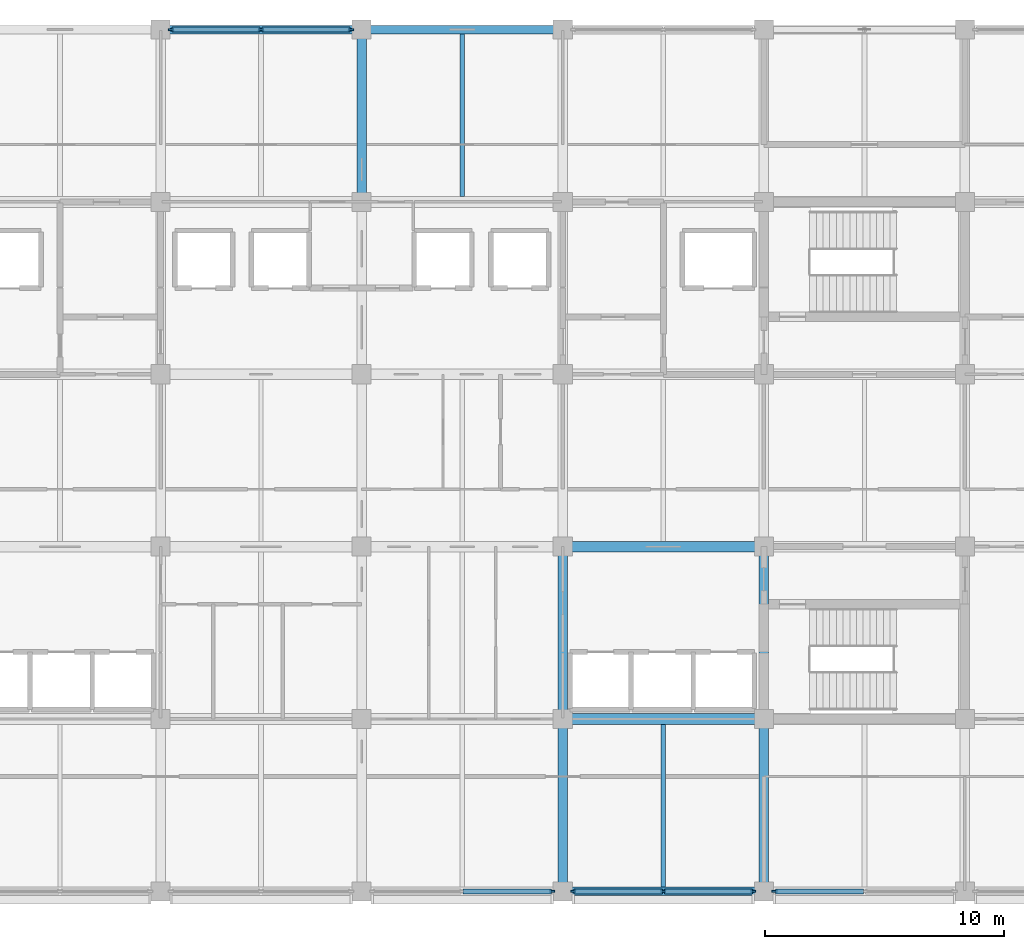
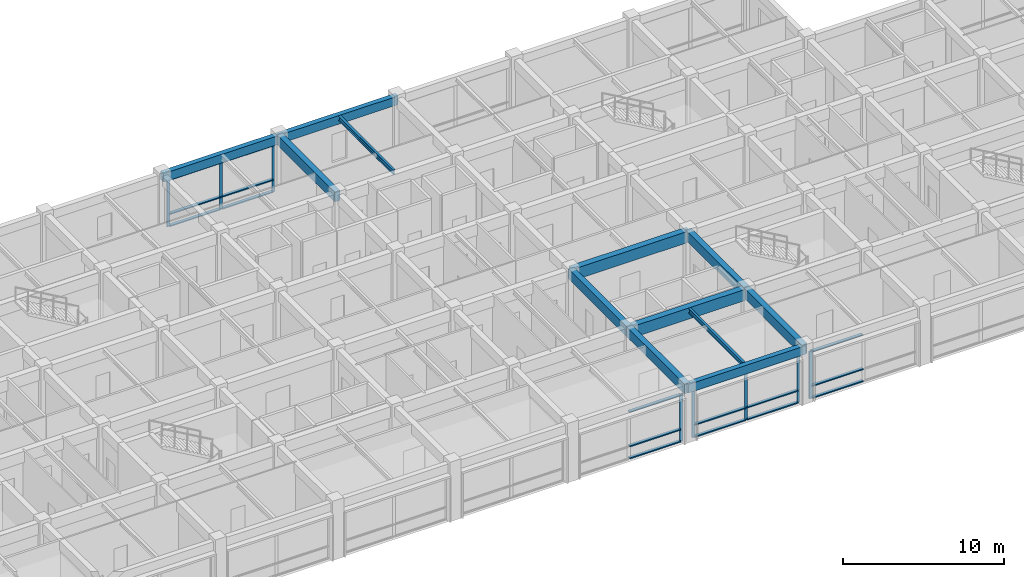
# One storey, part 6 of 30: 26 members, 12 beams, 4 elements without a shape of their own.
"""IFC4 building model written with IfcOpenShell, lengths in metres."""

from ifc_helpers import new_model, si_unit, direction, frame, origin, origin_2d, place, context, subcontext, project, spatial, rectangle, i_section, extrude, material, layer, layer_set, material_profile, profile_set, type_object, element, aggregate, save


model = new_model("IFC4")

# Units and contexts
model_context = context("Model", 3, precision=1e-05, world=origin(), true_north=direction((0.0, 1.0)))
body_context = subcontext(model_context, "Body", "Model", "MODEL_VIEW")
ifc_project = project(units=[si_unit("LENGTHUNIT", "METRE"), si_unit("AREAUNIT", "SQUARE_METRE"), si_unit("VOLUMEUNIT", "CUBIC_METRE"), si_unit("PLANEANGLEUNIT", "RADIAN"), si_unit("MASSUNIT", "GRAM", prefix="KILO")], contexts=[model_context])

# Site, building, storey
site_placement = place(None, origin())
site = spatial("IfcSite", under=ifc_project, at=site_placement, CompositionType="ELEMENT")
building_placement = place(site_placement, origin())
building = spatial("IfcBuilding", under=site, at=building_placement, Name="Chengyuan Square Courthouse", CompositionType="ELEMENT")
storey_placement = place(building_placement, frame((0.0, 0.0, 26.10009765625)))
storey = spatial("IfcBuildingStorey", under=building, at=storey_placement, Name="L06", CompositionType="ELEMENT", Elevation=26.10009765625)

# Beams
ifc_material_1 = material(Name="Concrete C40", Category="concrete")
ifc_material_profile_1 = material_profile(ifc_material_1, rectangle(XDim=0.449951171875, YDim=0.85009765625, at=origin_2d()), Name="RC-BM-450x850")
ifc_profile_set_1 = profile_set([ifc_material_profile_1], Name="Concrete C40")
beam_type_1 = type_object("IfcBeamType", Name="BM-01", PredefinedType="USERDEFINED", material=ifc_profile_set_1)
for number, where, z_axis, x_axis, name in (
    (1, (92.39990234375, 86.39990234375, 3.81494140625), (1.0, 0.0, 0.0), (0.0, 1.0, 0.0), "Girder BM-L06-3407"),
    (2, (92.39990234375, 93.60009765625, 3.81494140625), (1.0, 0.0, 0.0), (0.0, 1.0, 0.0), "Girder BM-L06-3419"),
):
    element("IfcBeam", number, at=place(storey_placement, frame(where, z_axis=z_axis, x_axis=x_axis)), inside=storey, type_object=beam_type_1, Name=name, ObjectType="GIRDER", PredefinedType="USERDEFINED", context=body_context, shape_type="SweptSolid", body=[
        extrude(rectangle(XDim=0.449951171875, YDim=0.85009765625, at=origin_2d()), origin(), (0.0, 0.0, 1.0), 8.400146484375),
    ])
ifc_material_profile_2 = material_profile(ifc_material_1, rectangle(XDim=0.39990234375, YDim=0.75, at=origin_2d()), Name="RC-BM-400x750")
ifc_profile_set_2 = profile_set([ifc_material_profile_2], Name="Concrete C40")
beam_type_2 = type_object("IfcBeamType", Name="BM-02", PredefinedType="USERDEFINED", material=ifc_profile_set_2)
for number, where, z_axis, x_axis, name in (
    (3, (84.0, 108.0, 3.864990234375), (0.0, 1.0, 0.0), (-1.0, 0.0, 0.0), "Girder BM-L06-3493"),
    (4, (92.39990234375, 79.199951171875, 3.864990234375), (0.0, 1.0, 0.0), (-1.0, 0.0, 0.0), "Girder BM-L06-3494"),
):
    element("IfcBeam", number, at=place(storey_placement, frame(where, z_axis=z_axis, x_axis=x_axis)), inside=storey, type_object=beam_type_2, Name=name, ObjectType="GIRDER", PredefinedType="USERDEFINED", context=body_context, shape_type="SweptSolid", body=[
        extrude(rectangle(XDim=0.39990234375, YDim=0.75, at=origin_2d()), origin(), (0.0, 0.0, 1.0), 7.199951171875),
    ])
beam_1_placement = place(storey_placement, frame((92.39990234375, 86.39990234375, 3.864990234375), z_axis=(0.0, 1.0, 0.0), x_axis=(-1.0, 0.0, 0.0)))
element("IfcBeam", 5, at=beam_1_placement, inside=storey, type_object=beam_type_2, Name="Girder BM-L06-3495", ObjectType="GIRDER", PredefinedType="USERDEFINED", context=body_context, shape_type="SweptSolid", body=[
    extrude(rectangle(XDim=0.39990234375, YDim=0.75, at=origin_2d()), origin(), (0.0, 0.0, 1.0), 7.2001953125),
])
beam_2_placement = place(storey_placement, frame((100.800048828125, 79.199951171875, 3.864990234375), z_axis=(0.0, 1.0, 0.0), x_axis=(-1.0, 0.0, 0.0)))
element("IfcBeam", 6, at=beam_2_placement, inside=storey, type_object=beam_type_2, Name="Girder BM-L06-3499", ObjectType="GIRDER", PredefinedType="USERDEFINED", context=body_context, shape_type="SweptSolid", body=[
    extrude(rectangle(XDim=0.39990234375, YDim=0.75, at=origin_2d()), origin(), (0.0, 0.0, 1.0), 7.199951171875),
])
beam_3_placement = place(storey_placement, frame((100.800048828125, 86.39990234375, 3.864990234375), z_axis=(0.0, 1.0, 0.0), x_axis=(-1.0, 0.0, 0.0)))
element("IfcBeam", 7, at=beam_3_placement, inside=storey, type_object=beam_type_2, Name="Girder BM-L06-3500", ObjectType="GIRDER", PredefinedType="USERDEFINED", context=body_context, shape_type="SweptSolid", body=[
    extrude(rectangle(XDim=0.39990234375, YDim=0.75, at=origin_2d()), origin(), (0.0, 0.0, 1.0), 7.2001953125),
])
ifc_material_profile_3 = material_profile(ifc_material_1, rectangle(XDim=0.35009765625, YDim=0.64990234375, at=origin_2d()), Name="RC-BM-350x650")
ifc_profile_set_3 = profile_set([ifc_material_profile_3], Name="Concrete C40")
beam_type_3 = type_object("IfcBeamType", Name="BM-03", PredefinedType="SPANDREL", material=ifc_profile_set_3)
beam_4_placement = place(storey_placement, frame((92.39990234375, 79.199951171875, 3.914794921875), z_axis=(1.0, 0.0, 0.0), x_axis=(0.0, 1.0, 0.0)))
element("IfcBeam", 8, at=beam_4_placement, inside=storey, type_object=beam_type_3, Name="Girder BM-L06-3394", PredefinedType="SPANDREL", context=body_context, shape_type="SweptSolid", body=[
    extrude(rectangle(XDim=0.35009765625, YDim=0.64990234375, at=origin_2d()), origin(), (0.0, 0.0, 1.0), 8.400146484375),
])
for number, where, z_axis, x_axis, name in (
    (9, (75.60009765625, 115.199951171875, 3.914794921875), (1.0, 0.0, 0.0), (0.0, 1.0, 0.0), "Girder BM-L06-3455"),
    (10, (84.0, 115.199951171875, 3.914794921875), (1.0, 0.0, 0.0), (0.0, 1.0, 0.0), "Girder BM-L06-3456"),
):
    element("IfcBeam", number, at=place(storey_placement, frame(where, z_axis=z_axis, x_axis=x_axis)), inside=storey, type_object=beam_type_3, Name=name, PredefinedType="SPANDREL", context=body_context, shape_type="SweptSolid", body=[
        extrude(rectangle(XDim=0.35009765625, YDim=0.64990234375, at=origin_2d()), origin(), (0.0, 0.0, 1.0), 8.39990234375),
    ])
ifc_material_2 = material(Name="Steel Q355B", Category="steel")
ifc_material_profile_4 = material_profile(ifc_material_2, i_section(OverallWidth=0.175048828125, OverallDepth=0.35009765625, WebThickness=0.007080078125, FlangeThickness=0.010986328125, at=origin_2d()), Name="HN 350x175x7x11")
ifc_profile_set_4 = profile_set([ifc_material_profile_4], Name="Steel Q355B")
beam_type_4 = type_object("IfcBeamType", Name="BM-08", PredefinedType="BEAM", material=ifc_profile_set_4)
beam_5_placement = place(storey_placement, frame((88.199951171875, 108.22509765625, 4.06494140625), z_axis=(0.0, 1.0, 0.0), x_axis=(-1.0, 0.0, 0.0)))
element("IfcBeam", 11, at=beam_5_placement, inside=storey, type_object=beam_type_4, Name="Secondary Floor Beam SBM-L06-3553", PredefinedType="BEAM", context=body_context, shape_type="SweptSolid", body=[
    extrude(i_section(OverallWidth=0.175048828125, OverallDepth=0.35009765625, WebThickness=0.007080078125, FlangeThickness=0.010986328125, at=origin_2d()), origin(), (0.0, 0.0, 1.0), 6.7998046875),
])
beam_6_placement = place(storey_placement, frame((96.60009765625, 79.375, 4.06494140625), z_axis=(0.0, 1.0, 0.0), x_axis=(-1.0, 0.0, 0.0)))
element("IfcBeam", 12, at=beam_6_placement, inside=storey, type_object=beam_type_4, Name="Secondary Floor Beam SBM-L06-3554", PredefinedType="BEAM", context=body_context, shape_type="SweptSolid", body=[
    extrude(i_section(OverallWidth=0.175048828125, OverallDepth=0.35009765625, WebThickness=0.007080078125, FlangeThickness=0.010986328125, at=origin_2d()), origin(), (0.0, 0.0, 1.0), 6.800048828125),
])

# Curtain wall, members
ifc_material_3 = material(Name="Unitised Aluminium and Triple Low-E Glass", Category="aluminium")
ifc_layer = layer(ifc_material_3, 0.219970703125)
ifc_layer_set = layer_set([ifc_layer], Name="Unitised Aluminium and Triple Low-E Glass")
curtain_wall_type = type_object("IfcCurtainWallType", Name="CW-16", PredefinedType="USERDEFINED", material=ifc_layer_set)
curtain_wall_1_placement = place(storey_placement, origin())
curtain_wall_1 = element("IfcCurtainWall", 13, at=curtain_wall_1_placement, inside=storey, type_object=curtain_wall_type, Name="Unitised Curtain Wall CW-L06-190", ObjectType="UNITISED CURTAIN WALL", PredefinedType="USERDEFINED")
ifc_material_4 = material(Name="Aluminium 6063-T6 Frame", Category="aluminium")
ifc_material_profile_5 = material_profile(ifc_material_4, rectangle(XDim=0.080078125, YDim=0.219970703125, at=origin_2d()), Name="CW-MUL-80x220")
ifc_profile_set_5 = profile_set([ifc_material_profile_5], Name="Aluminium 6063-T6 Frame")
member_type_1 = type_object("IfcMemberType", Name="CWM-04", PredefinedType="MULLION", material=ifc_profile_set_5)
member_1_placement = place(storey_placement, frame((76.0400390625, 115.199951171875, 0.0), z_axis=(0.0, 0.0, 1.0), x_axis=(0.0, 1.0, 0.0)))
member_1 = element("IfcMember", 14, at=member_1_placement, type_object=member_type_1, Name="CW-16 mullion 1", PredefinedType="MULLION", context=body_context, shape_type="SweptSolid", body=[
    extrude(rectangle(XDim=0.080078125, YDim=0.219970703125, at=origin_2d()), origin(), (0.0, 0.0, 1.0), 3.58984375),
])
member_2_placement = place(storey_placement, frame((79.800048828125, 115.199951171875, 0.0), z_axis=(0.0, 0.0, 1.0), x_axis=(0.0, 1.0, 0.0)))
member_2 = element("IfcMember", 15, at=member_2_placement, type_object=member_type_1, Name="CW-16 mullion 2", PredefinedType="MULLION", context=body_context, shape_type="SweptSolid", body=[
    extrude(rectangle(XDim=0.080078125, YDim=0.219970703125, at=origin_2d()), origin(), (0.0, 0.0, 1.0), 3.58984375),
])
member_3_placement = place(storey_placement, frame((83.56005859375, 115.199951171875, 0.0), z_axis=(0.0, 0.0, 1.0), x_axis=(0.0, 1.0, 0.0)))
member_3 = element("IfcMember", 16, at=member_3_placement, type_object=member_type_1, Name="CW-16 mullion 3", PredefinedType="MULLION", context=body_context, shape_type="SweptSolid", body=[
    extrude(rectangle(XDim=0.080078125, YDim=0.219970703125, at=origin_2d()), origin(), (0.0, 0.0, 1.0), 3.58984375),
])

# Curtain wall, member
curtain_wall_2_placement = place(storey_placement, origin())
curtain_wall_2 = element("IfcCurtainWall", 17, at=curtain_wall_2_placement, inside=storey, type_object=curtain_wall_type, Name="Unitised Curtain Wall CW-L06-191", ObjectType="UNITISED CURTAIN WALL", PredefinedType="USERDEFINED")
member_4_placement = place(storey_placement, frame((91.9599609375, 79.199951171875, 0.0), z_axis=(0.0, 0.0, 1.0), x_axis=(0.0, 1.0, 0.0)))
member_4 = element("IfcMember", 18, at=member_4_placement, type_object=member_type_1, Name="CW-16 mullion 3", PredefinedType="MULLION", context=body_context, shape_type="SweptSolid", body=[
    extrude(rectangle(XDim=0.080078125, YDim=0.219970703125, at=origin_2d()), origin(), (0.0, 0.0, 1.0), 3.58984375),
])

# Curtain wall, members
curtain_wall_3_placement = place(storey_placement, origin())
curtain_wall_3 = element("IfcCurtainWall", 19, at=curtain_wall_3_placement, inside=storey, type_object=curtain_wall_type, Name="Unitised Curtain Wall CW-L06-192", ObjectType="UNITISED CURTAIN WALL", PredefinedType="USERDEFINED")
member_5_placement = place(storey_placement, frame((92.840087890625, 79.199951171875, 0.0), z_axis=(0.0, 0.0, 1.0), x_axis=(0.0, 1.0, 0.0)))
member_5 = element("IfcMember", 20, at=member_5_placement, type_object=member_type_1, Name="CW-16 mullion 1", PredefinedType="MULLION", context=body_context, shape_type="SweptSolid", body=[
    extrude(rectangle(XDim=0.080078125, YDim=0.219970703125, at=origin_2d()), origin(), (0.0, 0.0, 1.0), 3.58984375),
])
member_6_placement = place(storey_placement, frame((96.60009765625, 79.199951171875, 0.0), z_axis=(0.0, 0.0, 1.0), x_axis=(0.0, 1.0, 0.0)))
member_6 = element("IfcMember", 21, at=member_6_placement, type_object=member_type_1, Name="CW-16 mullion 2", PredefinedType="MULLION", context=body_context, shape_type="SweptSolid", body=[
    extrude(rectangle(XDim=0.080078125, YDim=0.219970703125, at=origin_2d()), origin(), (0.0, 0.0, 1.0), 3.58984375),
])
member_7_placement = place(storey_placement, frame((100.360107421875, 79.199951171875, 0.0), z_axis=(0.0, 0.0, 1.0), x_axis=(0.0, 1.0, 0.0)))
member_7 = element("IfcMember", 22, at=member_7_placement, type_object=member_type_1, Name="CW-16 mullion 3", PredefinedType="MULLION", context=body_context, shape_type="SweptSolid", body=[
    extrude(rectangle(XDim=0.080078125, YDim=0.219970703125, at=origin_2d()), origin(), (0.0, 0.0, 1.0), 3.58984375),
])

# Curtain wall, member
curtain_wall_4_placement = place(storey_placement, origin())
curtain_wall_4 = element("IfcCurtainWall", 23, at=curtain_wall_4_placement, inside=storey, type_object=curtain_wall_type, Name="Unitised Curtain Wall CW-L06-194", ObjectType="UNITISED CURTAIN WALL", PredefinedType="USERDEFINED")
member_8_placement = place(storey_placement, frame((101.239990234375, 79.199951171875, 0.0), z_axis=(0.0, 0.0, 1.0), x_axis=(0.0, 1.0, 0.0)))
member_8 = element("IfcMember", 24, at=member_8_placement, type_object=member_type_1, Name="CW-16 mullion 1", PredefinedType="MULLION", context=body_context, shape_type="SweptSolid", body=[
    extrude(rectangle(XDim=0.080078125, YDim=0.219970703125, at=origin_2d()), origin(), (0.0, 0.0, 1.0), 3.58984375),
])

# Member
ifc_material_profile_6 = material_profile(ifc_material_4, rectangle(XDim=0.219970703125, YDim=0.080078125, at=origin_2d()), Name="CW-TRN-80x180")
ifc_profile_set_6 = profile_set([ifc_material_profile_6], Name="Aluminium 6063-T6 Frame")
member_type_2 = type_object("IfcMemberType", Name="CWT-04", PredefinedType="USERDEFINED", material=ifc_profile_set_6)
member_9_placement = place(storey_placement, frame((76.080078125, 115.199951171875, 0.039794921875), z_axis=(1.0, 0.0, 0.0), x_axis=(0.0, 1.0, 0.0)))
member_9 = element("IfcMember", 25, at=member_9_placement, type_object=member_type_2, Name="CW-16 transom 1.1", ObjectType="TRANSOM", PredefinedType="USERDEFINED", context=body_context, shape_type="SweptSolid", body=[
    extrude(rectangle(XDim=0.219970703125, YDim=0.080078125, at=origin_2d()), origin(), (0.0, 0.0, 1.0), 3.679931640625),
])

member_10_placement = place(storey_placement, frame((76.080078125, 115.199951171875, 0.949951171875), z_axis=(1.0, 0.0, 0.0), x_axis=(0.0, 1.0, 0.0)))
member_10 = element("IfcMember", 26, at=member_10_placement, type_object=member_type_2, Name="CW-16 transom 1.2", ObjectType="TRANSOM", PredefinedType="USERDEFINED", context=body_context, shape_type="SweptSolid", body=[
    extrude(rectangle(XDim=0.219970703125, YDim=0.080078125, at=origin_2d()), origin(), (0.0, 0.0, 1.0), 3.679931640625),
])

member_11_placement = place(storey_placement, frame((76.080078125, 115.199951171875, 3.5498046875), z_axis=(1.0, 0.0, 0.0), x_axis=(0.0, 1.0, 0.0)))
member_11 = element("IfcMember", 27, at=member_11_placement, type_object=member_type_2, Name="CW-16 transom 1.3", ObjectType="TRANSOM", PredefinedType="USERDEFINED", context=body_context, shape_type="SweptSolid", body=[
    extrude(rectangle(XDim=0.219970703125, YDim=0.080078125, at=origin_2d()), origin(), (0.0, 0.0, 1.0), 3.679931640625),
])

member_12_placement = place(storey_placement, frame((79.840087890625, 115.199951171875, 0.039794921875), z_axis=(1.0, 0.0, 0.0), x_axis=(0.0, 1.0, 0.0)))
member_12 = element("IfcMember", 28, at=member_12_placement, type_object=member_type_2, Name="CW-16 transom 2.1", ObjectType="TRANSOM", PredefinedType="USERDEFINED", context=body_context, shape_type="SweptSolid", body=[
    extrude(rectangle(XDim=0.219970703125, YDim=0.080078125, at=origin_2d()), origin(), (0.0, 0.0, 1.0), 3.679931640625),
])

member_13_placement = place(storey_placement, frame((79.840087890625, 115.199951171875, 0.949951171875), z_axis=(1.0, 0.0, 0.0), x_axis=(0.0, 1.0, 0.0)))
member_13 = element("IfcMember", 29, at=member_13_placement, type_object=member_type_2, Name="CW-16 transom 2.2", ObjectType="TRANSOM", PredefinedType="USERDEFINED", context=body_context, shape_type="SweptSolid", body=[
    extrude(rectangle(XDim=0.219970703125, YDim=0.080078125, at=origin_2d()), origin(), (0.0, 0.0, 1.0), 3.679931640625),
])

member_14_placement = place(storey_placement, frame((79.840087890625, 115.199951171875, 3.5498046875), z_axis=(1.0, 0.0, 0.0), x_axis=(0.0, 1.0, 0.0)))
member_14 = element("IfcMember", 30, at=member_14_placement, type_object=member_type_2, Name="CW-16 transom 2.3", ObjectType="TRANSOM", PredefinedType="USERDEFINED", context=body_context, shape_type="SweptSolid", body=[
    extrude(rectangle(XDim=0.219970703125, YDim=0.080078125, at=origin_2d()), origin(), (0.0, 0.0, 1.0), 3.679931640625),
])

aggregate(curtain_wall_1, [member_1, member_2, member_3, member_9, member_10, member_11, member_12, member_13, member_14])

member_15_placement = place(storey_placement, frame((88.239990234375, 79.199951171875, 0.039794921875), z_axis=(1.0, 0.0, 0.0), x_axis=(0.0, 1.0, 0.0)))
member_15 = element("IfcMember", 31, at=member_15_placement, type_object=member_type_2, Name="CW-16 transom 2.1", ObjectType="TRANSOM", PredefinedType="USERDEFINED", context=body_context, shape_type="SweptSolid", body=[
    extrude(rectangle(XDim=0.219970703125, YDim=0.080078125, at=origin_2d()), origin(), (0.0, 0.0, 1.0), 3.679931640625),
])

member_16_placement = place(storey_placement, frame((88.239990234375, 79.199951171875, 0.949951171875), z_axis=(1.0, 0.0, 0.0), x_axis=(0.0, 1.0, 0.0)))
member_16 = element("IfcMember", 32, at=member_16_placement, type_object=member_type_2, Name="CW-16 transom 2.2", ObjectType="TRANSOM", PredefinedType="USERDEFINED", context=body_context, shape_type="SweptSolid", body=[
    extrude(rectangle(XDim=0.219970703125, YDim=0.080078125, at=origin_2d()), origin(), (0.0, 0.0, 1.0), 3.679931640625),
])

member_17_placement = place(storey_placement, frame((88.239990234375, 79.199951171875, 3.5498046875), z_axis=(1.0, 0.0, 0.0), x_axis=(0.0, 1.0, 0.0)))
member_17 = element("IfcMember", 33, at=member_17_placement, type_object=member_type_2, Name="CW-16 transom 2.3", ObjectType="TRANSOM", PredefinedType="USERDEFINED", context=body_context, shape_type="SweptSolid", body=[
    extrude(rectangle(XDim=0.219970703125, YDim=0.080078125, at=origin_2d()), origin(), (0.0, 0.0, 1.0), 3.679931640625),
])

aggregate(curtain_wall_2, [member_4, member_15, member_16, member_17])

member_18_placement = place(storey_placement, frame((92.8798828125, 79.199951171875, 0.039794921875), z_axis=(1.0, 0.0, 0.0), x_axis=(0.0, 1.0, 0.0)))
member_18 = element("IfcMember", 34, at=member_18_placement, type_object=member_type_2, Name="CW-16 transom 1.1", ObjectType="TRANSOM", PredefinedType="USERDEFINED", context=body_context, shape_type="SweptSolid", body=[
    extrude(rectangle(XDim=0.219970703125, YDim=0.080078125, at=origin_2d()), origin(), (0.0, 0.0, 1.0), 3.68017578125),
])

member_19_placement = place(storey_placement, frame((92.8798828125, 79.199951171875, 0.949951171875), z_axis=(1.0, 0.0, 0.0), x_axis=(0.0, 1.0, 0.0)))
member_19 = element("IfcMember", 35, at=member_19_placement, type_object=member_type_2, Name="CW-16 transom 1.2", ObjectType="TRANSOM", PredefinedType="USERDEFINED", context=body_context, shape_type="SweptSolid", body=[
    extrude(rectangle(XDim=0.219970703125, YDim=0.080078125, at=origin_2d()), origin(), (0.0, 0.0, 1.0), 3.68017578125),
])

member_20_placement = place(storey_placement, frame((92.8798828125, 79.199951171875, 3.5498046875), z_axis=(1.0, 0.0, 0.0), x_axis=(0.0, 1.0, 0.0)))
member_20 = element("IfcMember", 36, at=member_20_placement, type_object=member_type_2, Name="CW-16 transom 1.3", ObjectType="TRANSOM", PredefinedType="USERDEFINED", context=body_context, shape_type="SweptSolid", body=[
    extrude(rectangle(XDim=0.219970703125, YDim=0.080078125, at=origin_2d()), origin(), (0.0, 0.0, 1.0), 3.68017578125),
])

member_21_placement = place(storey_placement, frame((96.639892578125, 79.199951171875, 0.039794921875), z_axis=(1.0, 0.0, 0.0), x_axis=(0.0, 1.0, 0.0)))
member_21 = element("IfcMember", 37, at=member_21_placement, type_object=member_type_2, Name="CW-16 transom 2.1", ObjectType="TRANSOM", PredefinedType="USERDEFINED", context=body_context, shape_type="SweptSolid", body=[
    extrude(rectangle(XDim=0.219970703125, YDim=0.080078125, at=origin_2d()), origin(), (0.0, 0.0, 1.0), 3.68017578125),
])

member_22_placement = place(storey_placement, frame((96.639892578125, 79.199951171875, 0.949951171875), z_axis=(1.0, 0.0, 0.0), x_axis=(0.0, 1.0, 0.0)))
member_22 = element("IfcMember", 38, at=member_22_placement, type_object=member_type_2, Name="CW-16 transom 2.2", ObjectType="TRANSOM", PredefinedType="USERDEFINED", context=body_context, shape_type="SweptSolid", body=[
    extrude(rectangle(XDim=0.219970703125, YDim=0.080078125, at=origin_2d()), origin(), (0.0, 0.0, 1.0), 3.68017578125),
])

member_23_placement = place(storey_placement, frame((96.639892578125, 79.199951171875, 3.5498046875), z_axis=(1.0, 0.0, 0.0), x_axis=(0.0, 1.0, 0.0)))
member_23 = element("IfcMember", 39, at=member_23_placement, type_object=member_type_2, Name="CW-16 transom 2.3", ObjectType="TRANSOM", PredefinedType="USERDEFINED", context=body_context, shape_type="SweptSolid", body=[
    extrude(rectangle(XDim=0.219970703125, YDim=0.080078125, at=origin_2d()), origin(), (0.0, 0.0, 1.0), 3.68017578125),
])

aggregate(curtain_wall_3, [member_5, member_6, member_7, member_18, member_19, member_20, member_21, member_22, member_23])

member_24_placement = place(storey_placement, frame((101.280029296875, 79.199951171875, 0.039794921875), z_axis=(1.0, 0.0, 0.0), x_axis=(0.0, 1.0, 0.0)))
member_24 = element("IfcMember", 40, at=member_24_placement, type_object=member_type_2, Name="CW-16 transom 1.1", ObjectType="TRANSOM", PredefinedType="USERDEFINED", context=body_context, shape_type="SweptSolid", body=[
    extrude(rectangle(XDim=0.219970703125, YDim=0.080078125, at=origin_2d()), origin(), (0.0, 0.0, 1.0), 3.679931640625),
])

member_25_placement = place(storey_placement, frame((101.280029296875, 79.199951171875, 0.949951171875), z_axis=(1.0, 0.0, 0.0), x_axis=(0.0, 1.0, 0.0)))
member_25 = element("IfcMember", 41, at=member_25_placement, type_object=member_type_2, Name="CW-16 transom 1.2", ObjectType="TRANSOM", PredefinedType="USERDEFINED", context=body_context, shape_type="SweptSolid", body=[
    extrude(rectangle(XDim=0.219970703125, YDim=0.080078125, at=origin_2d()), origin(), (0.0, 0.0, 1.0), 3.679931640625),
])

member_26_placement = place(storey_placement, frame((101.280029296875, 79.199951171875, 3.5498046875), z_axis=(1.0, 0.0, 0.0), x_axis=(0.0, 1.0, 0.0)))
member_26 = element("IfcMember", 42, at=member_26_placement, type_object=member_type_2, Name="CW-16 transom 1.3", ObjectType="TRANSOM", PredefinedType="USERDEFINED", context=body_context, shape_type="SweptSolid", body=[
    extrude(rectangle(XDim=0.219970703125, YDim=0.080078125, at=origin_2d()), origin(), (0.0, 0.0, 1.0), 3.679931640625),
])

aggregate(curtain_wall_4, [member_8, member_24, member_25, member_26])

save(model, "model.ifc")
